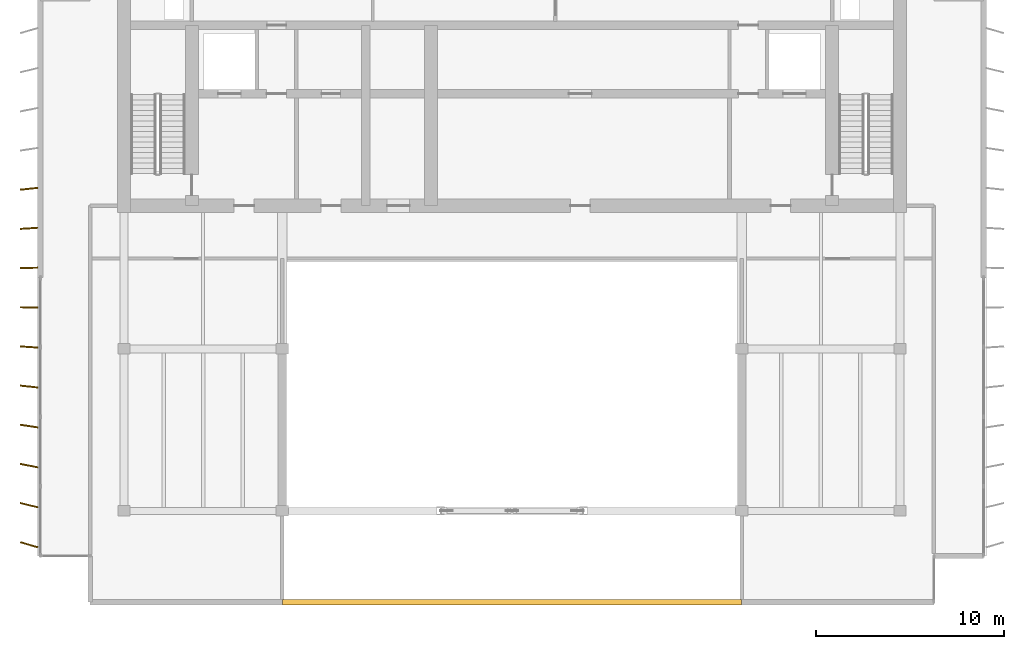
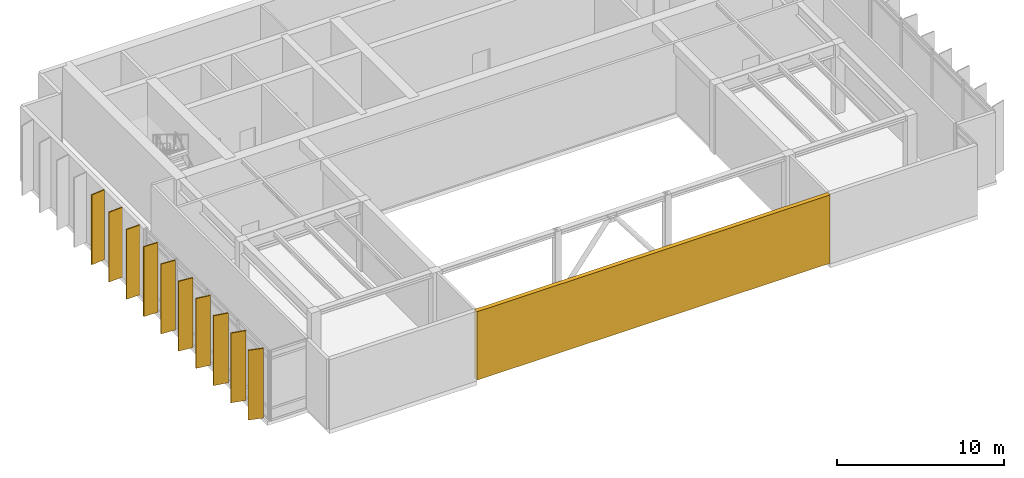
# One storey, part 7 of 9: 11 shading devices.
"""IFC4 building model written with IfcOpenShell, lengths in metres."""

from ifc_helpers import new_model, si_unit, direction, frame, origin, origin_2d, place, context, subcontext, project, spatial, rectangle, extrude, material, layer, layer_set, material_profile, profile_set, type_object, element, save


model = new_model("IFC4")

# Units and contexts
model_context = context("Model", 3, precision=1e-05, world=origin(), true_north=direction((0.0, 1.0)))
body_context = subcontext(model_context, "Body", "Model", "MODEL_VIEW")
ifc_project = project(units=[si_unit("LENGTHUNIT", "METRE"), si_unit("AREAUNIT", "SQUARE_METRE"), si_unit("VOLUMEUNIT", "CUBIC_METRE"), si_unit("PLANEANGLEUNIT", "RADIAN"), si_unit("MASSUNIT", "GRAM", prefix="KILO")], contexts=[model_context])

# Site, building, storey
site_placement = place(None, origin())
site = spatial("IfcSite", under=ifc_project, at=site_placement, CompositionType="ELEMENT")
building_placement = place(site_placement, origin())
building = spatial("IfcBuilding", under=site, at=building_placement, Name="Caelmar Bay Residences", CompositionType="ELEMENT")
storey_placement = place(building_placement, frame((0.0, 0.0, 290.199951171875)))
storey = spatial("IfcBuildingStorey", under=building, at=storey_placement, Name="L80", CompositionType="ELEMENT", Elevation=290.199951171875)

# Shading devices
ifc_material = material(Name="Anodised architectural bronze aluminium 6063-T6", Category="aluminium")
ifc_material_profile = material_profile(ifc_material, rectangle(XDim=0.074951171875, YDim=0.949951171875, at=origin_2d()), Name="BRONZE-FIN-75X950")
ifc_profile_set = profile_set([ifc_material_profile], Name="Anodised architectural bronze aluminium 6063-T6")
shading_device_type_1 = type_object("IfcShadingDeviceType", Name="SHD-FIN-950", PredefinedType="USERDEFINED", material=ifc_profile_set)
for number, where, z_axis, x_axis, name in (
    (1, (13.25, 19.0, 0.0), (0.0, 0.0, 1.0), (0.275637355817, 0.961261695938, 0.0), "L80 West Bronze Solar Fin 1"),
    (2, (13.25, 21.10009765625, 0.0), (0.0, 0.0, 1.0), (0.234124149178, 0.972206707841, 0.0), "L80 West Bronze Solar Fin 2"),
    (3, (13.25, 23.199951171875, 0.0), (0.0, 0.0, 1.0), (0.192179419046, 0.981359807051, 0.0), "L80 West Bronze Solar Fin 3"),
    (4, (13.25, 25.300048828125, 0.0), (0.0, 0.0, 1.0), (0.149880475413, 0.988704123128, 0.0), "L80 West Bronze Solar Fin 4"),
    (5, (13.25, 27.39990234375, 0.0), (0.0, 0.0, 1.0), (0.107131754314, 0.994244832633, 0.0), "L80 West Bronze Solar Fin 5"),
    (6, (13.25, 29.5, 0.0), (0.0, 0.0, 1.0), (0.064358138139, 0.997926866086, 0.0), "L80 West Bronze Solar Fin 6"),
    (7, (13.25, 31.60009765625, 0.0), (0.0, 0.0, 1.0), (0.02146590093, 0.999769581002, 0.0), "L80 West Bronze Solar Fin 7"),
    (8, (13.25, 33.699951171875, 0.0), (0.0, 0.0, 1.0), (-0.02146590093, 0.999769581002, 0.0), "L80 West Bronze Solar Fin 8"),
    (9, (13.25, 35.800048828125, 0.0), (0.0, 0.0, 1.0), (-0.064358138139, 0.997926866086, 0.0), "L80 West Bronze Solar Fin 9"),
    (10, (13.25, 37.89990234375, 0.0), (0.0, 0.0, 1.0), (-0.107131754314, 0.994244832633, 0.0), "L80 West Bronze Solar Fin 10"),
):
    element("IfcShadingDevice", number, at=place(storey_placement, frame(where, z_axis=z_axis, x_axis=x_axis)), inside=storey, type_object=shading_device_type_1, Name=name, ObjectType="FIN", PredefinedType="USERDEFINED", context=body_context, shape_type="SweptSolid", body=[
        extrude(rectangle(XDim=0.074951171875, YDim=0.949951171875, at=origin_2d()), origin(), (0.0, 0.0, 1.0), 5.10009765625),
    ])
ifc_layer = layer(ifc_material, 0.219970703125)
ifc_layer_set = layer_set([ifc_layer], Name="Anodised architectural bronze aluminium 6063-T6")
shading_device_type_2 = type_object("IfcShadingDeviceType", Name="SHD-LVR-300", PredefinedType="JALOUSIE", material=ifc_layer_set)
shading_device_placement = place(storey_placement, frame((38.89990234375, 15.949951171875, 0.050048828125), z_axis=(0.0, 0.0, 1.0), x_axis=(1.0, 0.0, 0.0)))
element("IfcShadingDevice", 11, at=shading_device_placement, inside=storey, type_object=shading_device_type_2, Name="L80 Venturi Turbine Slot Protective Louvre", PredefinedType="JALOUSIE", context=body_context, shape_type="SweptSolid", body=[
    extrude(rectangle(XDim=24.39990234375, YDim=0.300048828125, at=origin_2d()), origin(), (0.0, 0.0, 1.0), 5.0),
])

save(model, "model.ifc")
